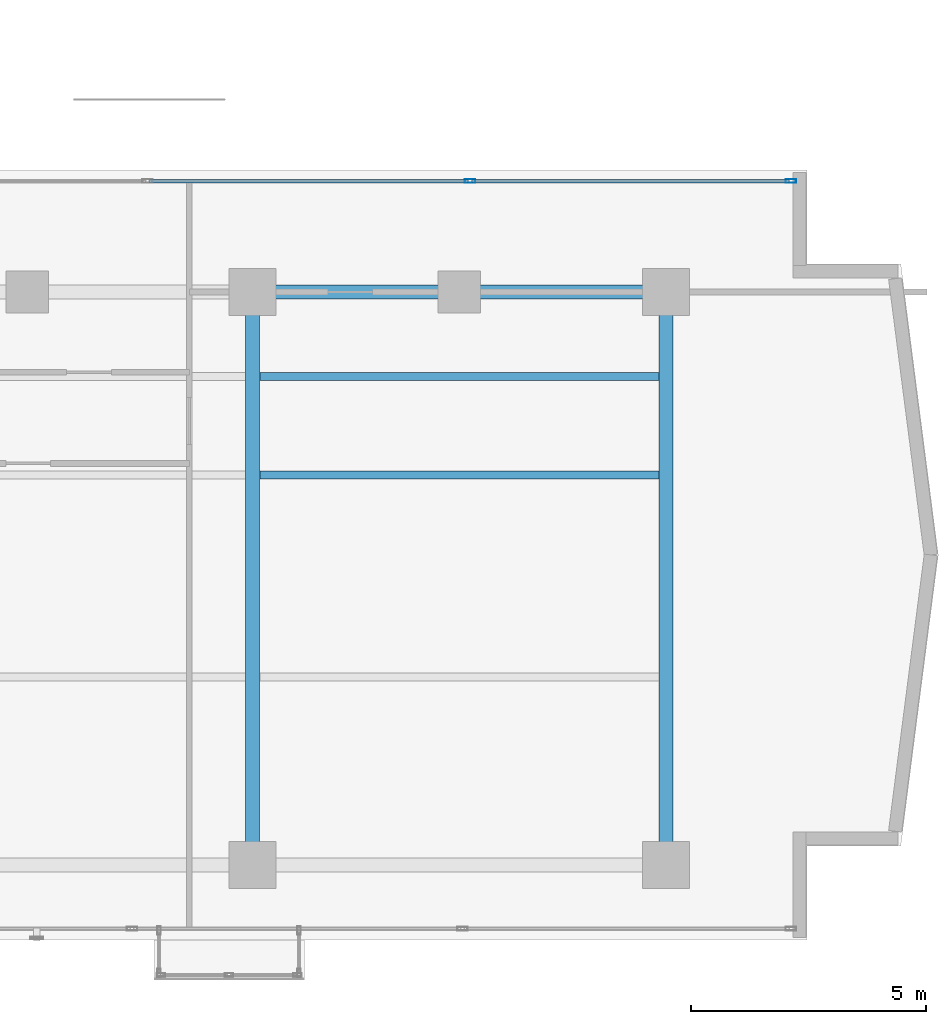
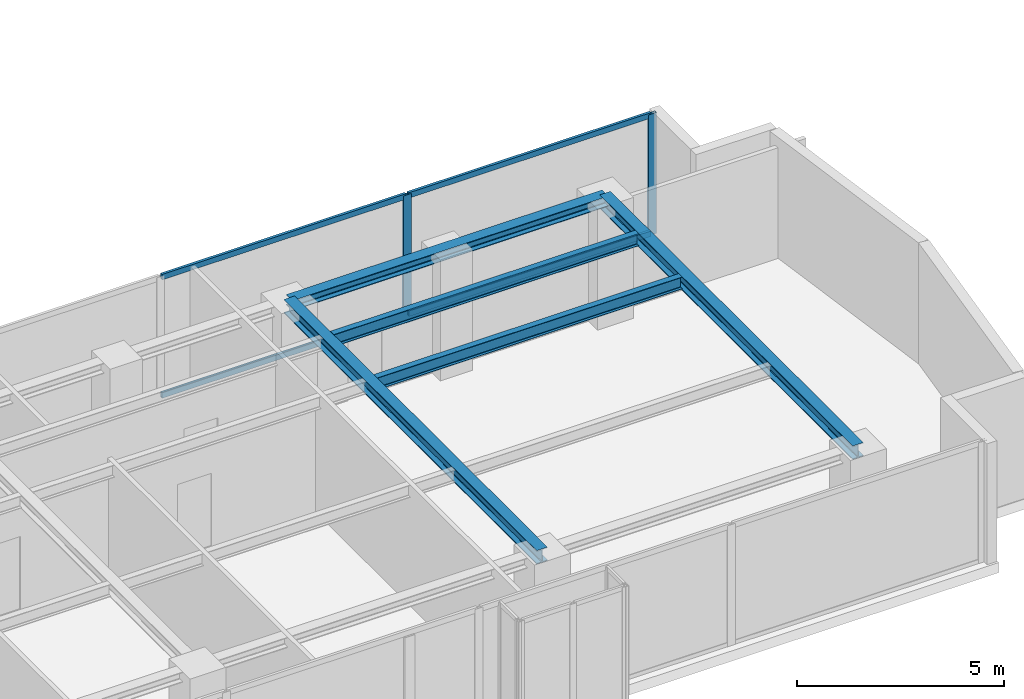
# One storey, part 12 of 25: 6 members, 5 beams, 1 element without a shape of its own.
"""IFC4 building model written with IfcOpenShell, lengths in metres."""

from ifc_helpers import new_model, si_unit, direction, frame, origin, origin_with_axes, origin_2d, place, context, subcontext, project, spatial, hollow_rectangle, i_section, extrude, source, transform, mapped, material, layer, layer_set, material_profile, profile_set, type_object, element, aggregate, save


model = new_model("IFC4")

# Units and contexts
model_context = context("Model", 3, precision=1e-05, world=origin(), true_north=direction((0.0, 1.0)))
body_context = subcontext(model_context, "Body", "Model", "MODEL_VIEW")
ifc_project = project(units=[si_unit("LENGTHUNIT", "METRE"), si_unit("AREAUNIT", "SQUARE_METRE"), si_unit("VOLUMEUNIT", "CUBIC_METRE"), si_unit("PLANEANGLEUNIT", "RADIAN"), si_unit("MASSUNIT", "GRAM", prefix="KILO")], contexts=[model_context])

# Site, building, storey
site_placement = place(None, origin())
site = spatial("IfcSite", under=ifc_project, at=site_placement, CompositionType="ELEMENT")
building_placement = place(site_placement, origin())
building = spatial("IfcBuilding", under=site, at=building_placement, Name="Kolvaren Waterfront Exchange", CompositionType="ELEMENT")
storey_placement = place(building_placement, frame((0.0, 0.0, 223.5)))
storey = spatial("IfcBuildingStorey", under=building, at=storey_placement, Name="L57", CompositionType="ELEMENT", Elevation=223.5)

# Beams
ifc_material_1 = material(Name="Steel S355", Category="steel")
ifc_material_profile_1 = material_profile(ifc_material_1, i_section(OverallWidth=0.300048828125, OverallDepth=0.300048828125, WebThickness=0.010986328125, FlangeThickness=0.01904296875, FilletRadius=0.027099609375, at=origin_2d()), Name="HEB300")
ifc_profile_set_1 = profile_set([ifc_material_profile_1], Name="Steel S355")
beam_type_1 = type_object("IfcBeamType", Name="STR-BM-HEB300", PredefinedType="SPANDREL", material=ifc_profile_set_1)
beam_placement = place(storey_placement, frame((36.800048828125, 17.39990234375, 3.409912109375), z_axis=(1.0, 0.0, 0.0), x_axis=(0.0, 1.0, 0.0)))
element("IfcBeam", 1, at=beam_placement, inside=storey, type_object=beam_type_1, Name="L57 east-arm spandrel N3", PredefinedType="SPANDREL", context=body_context, shape_type="SweptSolid", body=[
    extrude(i_section(OverallWidth=0.300048828125, OverallDepth=0.300048828125, WebThickness=0.010986328125, FlangeThickness=0.01904296875, FilletRadius=0.027099609375, at=origin_2d()), origin(), (0.0, 0.0, 1.0), 8.800048828125),
])
ifc_material_profile_2 = material_profile(ifc_material_1, i_section(OverallWidth=0.300048828125, OverallDepth=0.39990234375, WebThickness=0.013427734375, FlangeThickness=0.02392578125, FilletRadius=0.027099609375, at=origin_2d()), Name="HEB400")
ifc_profile_set_2 = profile_set([ifc_material_profile_2], Name="Steel S355")
beam_type_2 = type_object("IfcBeamType", Name="STR-BM-HEB400", PredefinedType="BEAM", material=ifc_profile_set_2)
for number, where, z_axis, x_axis, name in (
    (2, (36.800048828125, 5.199951171875, 3.360107421875), (0.0, 1.0, 0.0), (-1.0, 0.0, 0.0), "L57 east-arm transverse girder X36"),
    (3, (45.60009765625, 5.199951171875, 3.360107421875), (0.0, 1.0, 0.0), (-1.0, 0.0, 0.0), "L57 east-arm transverse girder X45"),
):
    element("IfcBeam", number, at=place(storey_placement, frame(where, z_axis=z_axis, x_axis=x_axis)), inside=storey, type_object=beam_type_2, Name=name, PredefinedType="BEAM", context=body_context, shape_type="SweptSolid", body=[
        extrude(i_section(OverallWidth=0.300048828125, OverallDepth=0.39990234375, WebThickness=0.013427734375, FlangeThickness=0.02392578125, FilletRadius=0.027099609375, at=origin_2d()), origin(), (0.0, 0.0, 1.0), 12.199951171875),
    ])
ifc_material_profile_3 = material_profile(ifc_material_1, i_section(OverallWidth=0.169921875, OverallDepth=0.360107421875, WebThickness=0.008056640625, FlangeThickness=0.0126953125, FilletRadius=0.01806640625, at=origin_2d()), Name="IPE360")
ifc_profile_set_3 = profile_set([ifc_material_profile_3], Name="Steel S355")
beam_type_3 = type_object("IfcBeamType", Name="STR-BM-IPE360", PredefinedType="JOIST", material=ifc_profile_set_3)
for number, where, z_axis, x_axis, name in (
    (4, (36.951904296875, 13.5, 3.3798828125), (1.0, 0.0, 0.0), (0.0, 1.0, 0.0), "L57 east-arm composite joist 3A"),
    (5, (36.951904296875, 15.60009765625, 3.3798828125), (1.0, 0.0, 0.0), (0.0, 1.0, 0.0), "L57 east-arm composite joist 3C"),
):
    element("IfcBeam", number, at=place(storey_placement, frame(where, z_axis=z_axis, x_axis=x_axis)), inside=storey, type_object=beam_type_3, Name=name, PredefinedType="JOIST", context=body_context, shape_type="SweptSolid", body=[
        extrude(i_section(OverallWidth=0.169921875, OverallDepth=0.360107421875, WebThickness=0.008056640625, FlangeThickness=0.0126953125, FilletRadius=0.01806640625, at=origin_2d()), origin(), (0.0, 0.0, 1.0), 8.49609375),
    ])

# Curtain wall, members
ifc_material_2 = material(Name="Anodised bronze aluminium 6063-T6", Category="aluminium")
ifc_layer = layer(ifc_material_2, 0.219970703125, Name="Anodised bronze aluminium 6063-T6")
ifc_layer_set = layer_set([ifc_layer], Name="Anodised bronze aluminium 6063-T6")
curtain_wall_type = type_object("IfcCurtainWallType", Name="ARC-CW-SYS4", PredefinedType="USERDEFINED", material=ifc_layer_set)
curtain_wall_placement = place(storey_placement, origin())
curtain_wall = element("IfcCurtainWall", 6, at=curtain_wall_placement, inside=storey, type_object=curtain_wall_type, Name="L57 stick curtain wall CW4 (CW-L57-EN)", ObjectType="STICK CURTAIN WALL", PredefinedType="USERDEFINED")
ifc_material_3 = material(Name="Anodised aluminium 6063-T6", Category="aluminium")
ifc_material_profile_4 = material_profile(ifc_material_3, hollow_rectangle(XDim=0.080078125, YDim=0.219970703125, WallThickness=0.0048828125, at=origin_2d()), Name="ALU-MUL-220x80x5")
ifc_profile_set_4 = profile_set([ifc_material_profile_4], Name="Anodised aluminium 6063-T6")
member_type_1 = type_object("IfcMemberType", Name="ARC-CWM-220", PredefinedType="MULLION", material=ifc_profile_set_4)
shared_shape_1 = source(origin_with_axes(), body_context, "Body", "SweptSolid", [
    extrude(hollow_rectangle(XDim=0.080078125, YDim=0.219970703125, WallThickness=0.0048828125, at=origin_2d()), origin(), (0.0, 0.0, 1.0), 3.56005859375),
])
member_1_placement = place(storey_placement, frame((41.429931640625, 19.760009765625, 0.0), z_axis=(0.0, 0.0, 1.0), x_axis=(0.0, 1.0, 0.0)))
member_1 = element("IfcMember", 7, at=member_1_placement, type_object=member_type_1, Name="CW4 mullion 3", PredefinedType="MULLION", context=body_context, shape_type="MappedRepresentation", body=[
    mapped(shared_shape_1, transform((0.0, 0.0, 0.0), x_axis=(1.0, 0.0, 0.0), y_axis=(0.0, 1.0, 0.0), z_axis=(0.0, 0.0, 1.0), scale=1.0)),
])
member_2_placement = place(storey_placement, frame((48.260009765625, 19.760009765625, 0.0), z_axis=(0.0, 0.0, 1.0), x_axis=(0.0, 1.0, 0.0)))
member_2 = element("IfcMember", 8, at=member_2_placement, type_object=member_type_1, Name="CW4 mullion 4", PredefinedType="MULLION", context=body_context, shape_type="MappedRepresentation", body=[
    mapped(shared_shape_1, transform((0.0, 0.0, 0.0), x_axis=(1.0, 0.0, 0.0), y_axis=(0.0, 1.0, 0.0), z_axis=(0.0, 0.0, 1.0), scale=1.0)),
])
ifc_material_profile_5 = material_profile(ifc_material_3, hollow_rectangle(XDim=0.074951171875, YDim=0.159912109375, WallThickness=0.00439453125, at=origin_2d()), Name="ALU-TRN-160x75x4.5")
ifc_profile_set_5 = profile_set([ifc_material_profile_5], Name="Anodised aluminium 6063-T6")
member_type_2 = type_object("IfcMemberType", Name="ARC-CWT-160", PredefinedType="USERDEFINED", material=ifc_profile_set_5)
shared_shape_2 = source(origin_with_axes(), body_context, "Body", "SweptSolid", [
    extrude(hollow_rectangle(XDim=0.074951171875, YDim=0.159912109375, WallThickness=0.00439453125, at=origin_2d()), origin(), (0.0, 0.0, 1.0), 6.75),
])
member_3_placement = place(storey_placement, frame((41.469970703125, 19.760009765625, 0.03759765625), z_axis=(1.0, 0.0, 0.0), x_axis=(0.0, 1.0, 0.0)))
member_3 = element("IfcMember", 9, at=member_3_placement, type_object=member_type_2, Name="CW4 transom 3.1", ObjectType="TRANSOM", PredefinedType="USERDEFINED", context=body_context, shape_type="MappedRepresentation", body=[
    mapped(shared_shape_2, transform((0.0, 0.0, 0.0), x_axis=(1.0, 0.0, 0.0), y_axis=(0.0, 1.0, 0.0), z_axis=(0.0, 0.0, 1.0), scale=1.0)),
])
member_4_placement = place(storey_placement, frame((41.469970703125, 19.760009765625, 3.5224609375), z_axis=(1.0, 0.0, 0.0), x_axis=(0.0, 1.0, 0.0)))
member_4 = element("IfcMember", 10, at=member_4_placement, type_object=member_type_2, Name="CW4 transom 3.2", ObjectType="TRANSOM", PredefinedType="USERDEFINED", context=body_context, shape_type="MappedRepresentation", body=[
    mapped(shared_shape_2, transform((0.0, 0.0, 0.0), x_axis=(1.0, 0.0, 0.0), y_axis=(0.0, 1.0, 0.0), z_axis=(0.0, 0.0, 1.0), scale=1.0)),
])
shared_shape_3 = source(origin_with_axes(), body_context, "Body", "SweptSolid", [
    extrude(hollow_rectangle(XDim=0.074951171875, YDim=0.159912109375, WallThickness=0.00439453125, at=origin_2d()), origin(), (0.0, 0.0, 1.0), 6.789794921875),
])
member_5_placement = place(storey_placement, frame((34.60009765625, 19.760009765625, 0.03759765625), z_axis=(1.0, 0.0, 0.0), x_axis=(0.0, 1.0, 0.0)))
member_5 = element("IfcMember", 11, at=member_5_placement, type_object=member_type_2, Name="CW4 transom 2.1", ObjectType="TRANSOM", PredefinedType="USERDEFINED", context=body_context, shape_type="MappedRepresentation", body=[
    mapped(shared_shape_3, transform((0.0, 0.0, 0.0), x_axis=(1.0, 0.0, 0.0), y_axis=(0.0, 1.0, 0.0), z_axis=(0.0, 0.0, 1.0), scale=1.0)),
])
member_6_placement = place(storey_placement, frame((34.60009765625, 19.760009765625, 3.5224609375), z_axis=(1.0, 0.0, 0.0), x_axis=(0.0, 1.0, 0.0)))
member_6 = element("IfcMember", 12, at=member_6_placement, type_object=member_type_2, Name="CW4 transom 2.2", ObjectType="TRANSOM", PredefinedType="USERDEFINED", context=body_context, shape_type="MappedRepresentation", body=[
    mapped(shared_shape_3, transform((0.0, 0.0, 0.0), x_axis=(1.0, 0.0, 0.0), y_axis=(0.0, 1.0, 0.0), z_axis=(0.0, 0.0, 1.0), scale=1.0)),
])
aggregate(curtain_wall, [member_1, member_2, member_5, member_6, member_3, member_4])

save(model, "model.ifc")
